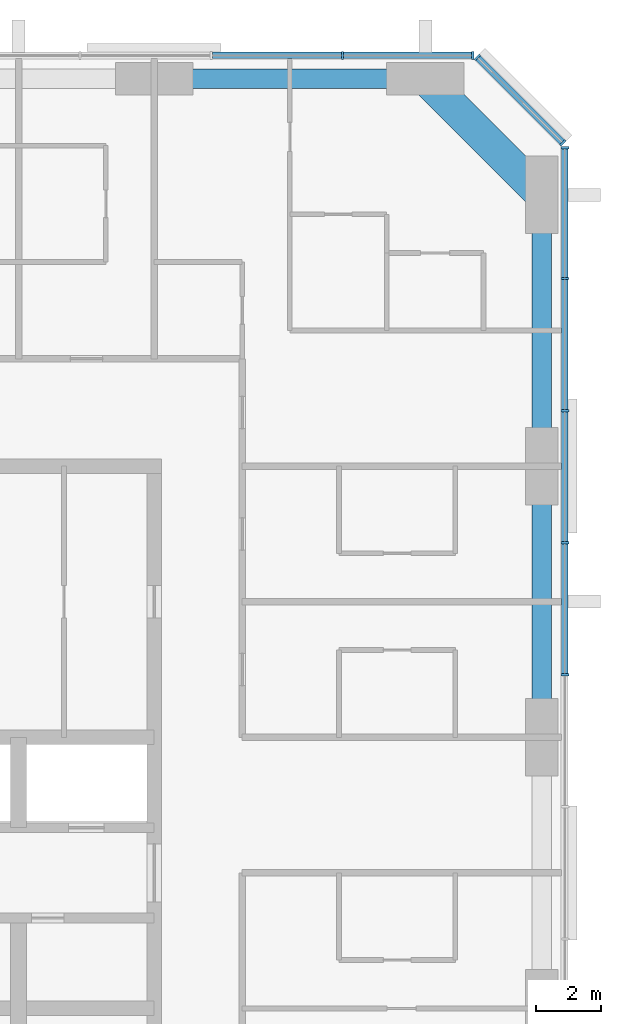
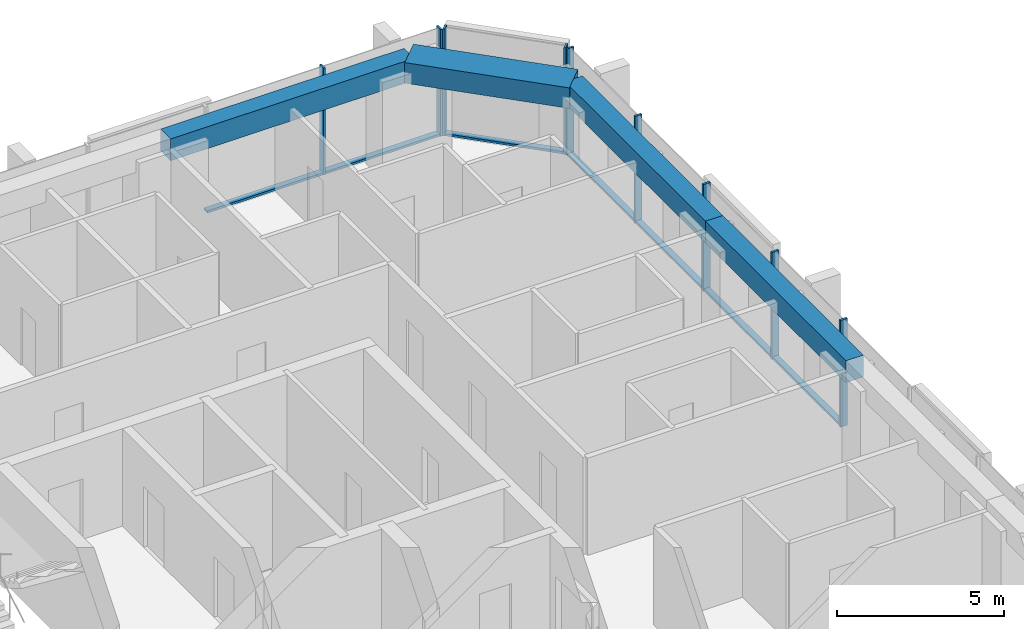
# One storey, part 5 of 12: 16 members, 4 beams, 3 elements without a shape of their own.
"""IFC4 building model written with IfcOpenShell, lengths in metres."""

from ifc_helpers import new_model, si_unit, direction, frame, origin, origin_2d, place, context, subcontext, project, spatial, rectangle, extrude, material, material_profile, profile_set, type_object, element, aggregate, save


model = new_model("IFC4")

# Units and contexts
model_context = context("Model", 3, precision=1e-05, world=origin(), true_north=direction((0.0, 1.0)))
body_context = subcontext(model_context, "Body", "Model", "MODEL_VIEW")
ifc_project = project(units=[si_unit("LENGTHUNIT", "METRE"), si_unit("AREAUNIT", "SQUARE_METRE"), si_unit("VOLUMEUNIT", "CUBIC_METRE"), si_unit("PLANEANGLEUNIT", "RADIAN"), si_unit("MASSUNIT", "GRAM", prefix="KILO")], contexts=[model_context])

# Site, building, storey
site_placement = place(None, origin())
site = spatial("IfcSite", under=ifc_project, at=site_placement, CompositionType="ELEMENT")
building_placement = place(site_placement, origin())
building = spatial("IfcBuilding", under=site, at=building_placement, Name="Dunama Terrace Hotel", CompositionType="ELEMENT")
storey_placement = place(building_placement, frame((0.0, 0.0, 252.89990234375)))
storey = spatial("IfcBuildingStorey", under=building, at=storey_placement, Name="L65", CompositionType="ELEMENT", Elevation=252.89990234375)

# Curtain wall, members
ifc_material_1 = material(Name="Aluminium curtain wall system", Category="aluminium")
curtain_wall_type = type_object("IfcCurtainWallType", Name="Unitised fritted glass wall CW-D", PredefinedType="NOTDEFINED", material=ifc_material_1)
curtain_wall_1_placement = place(storey_placement, origin())
curtain_wall_1 = element("IfcCurtainWall", 1, at=curtain_wall_1_placement, inside=storey, type_object=curtain_wall_type, Name="Unitised fritted glass wall CW-D L65", PredefinedType="NOTDEFINED")
ifc_material_2 = material(Name="Aluminium mullion", Category="aluminium")
ifc_material_profile_1 = material_profile(ifc_material_2, rectangle(XDim=0.070068359375, YDim=0.239990234375, at=origin_2d()), Name="CWD MULLION 70X240")
ifc_profile_set_1 = profile_set([ifc_material_profile_1], Name="Aluminium mullion")
member_type_1 = type_object("IfcMemberType", Name="CWD mullion 70x240", PredefinedType="MULLION", material=ifc_profile_set_1)
member_1_placement = place(storey_placement, frame((54.719970703125, 35.535888671875, 0.0), z_axis=(0.0, 0.0, 1.0), x_axis=(0.0, 1.0, 0.0)))
member_1 = element("IfcMember", 2, at=member_1_placement, type_object=member_type_1, Name="CWD mullion", PredefinedType="MULLION", context=body_context, shape_type="SweptSolid", body=[
    extrude(rectangle(XDim=0.070068359375, YDim=0.239990234375, at=origin_2d()), origin(), (0.0, 0.0, 1.0), 3.900146484375),
])
member_2_placement = place(storey_placement, frame((54.719970703125, 39.626953125, 0.0), z_axis=(0.0, 0.0, 1.0), x_axis=(0.0, 1.0, 0.0)))
member_2 = element("IfcMember", 3, at=member_2_placement, type_object=member_type_1, Name="CWD mullion", PredefinedType="MULLION", context=body_context, shape_type="SweptSolid", body=[
    extrude(rectangle(XDim=0.070068359375, YDim=0.239990234375, at=origin_2d()), origin(), (0.0, 0.0, 1.0), 3.900146484375),
])
member_3_placement = place(storey_placement, frame((54.719970703125, 43.718017578125, 0.0), z_axis=(0.0, 0.0, 1.0), x_axis=(0.0, 1.0, 0.0)))
member_3 = element("IfcMember", 4, at=member_3_placement, type_object=member_type_1, Name="CWD mullion", PredefinedType="MULLION", context=body_context, shape_type="SweptSolid", body=[
    extrude(rectangle(XDim=0.070068359375, YDim=0.239990234375, at=origin_2d()), origin(), (0.0, 0.0, 1.0), 3.900146484375),
])
member_4_placement = place(storey_placement, frame((54.719970703125, 47.80908203125, 0.0), z_axis=(0.0, 0.0, 1.0), x_axis=(0.0, 1.0, 0.0)))
member_4 = element("IfcMember", 5, at=member_4_placement, type_object=member_type_1, Name="CWD mullion", PredefinedType="MULLION", context=body_context, shape_type="SweptSolid", body=[
    extrude(rectangle(XDim=0.070068359375, YDim=0.239990234375, at=origin_2d()), origin(), (0.0, 0.0, 1.0), 3.900146484375),
])
member_5_placement = place(storey_placement, frame((54.719970703125, 51.864990234375, 0.0), z_axis=(0.0, 0.0, 1.0), x_axis=(0.0, 1.0, 0.0)))
member_5 = element("IfcMember", 6, at=member_5_placement, type_object=member_type_1, Name="CWD mullion", PredefinedType="MULLION", context=body_context, shape_type="SweptSolid", body=[
    extrude(rectangle(XDim=0.070068359375, YDim=0.239990234375, at=origin_2d()), origin(), (0.0, 0.0, 1.0), 3.900146484375),
])

curtain_wall_2_placement = place(storey_placement, origin())
curtain_wall_2 = element("IfcCurtainWall", 7, at=curtain_wall_2_placement, inside=storey, type_object=curtain_wall_type, Name="Unitised fritted glass wall CW-D L65", PredefinedType="NOTDEFINED")
member_6_placement = place(storey_placement, frame((54.659912109375, 52.010009765625, 0.0), z_axis=(0.0, 0.0, 1.0), x_axis=(-0.707106781187, 0.707106781187, 0.0)))
member_6 = element("IfcMember", 8, at=member_6_placement, type_object=member_type_1, Name="CWD mullion", PredefinedType="MULLION", context=body_context, shape_type="SweptSolid", body=[
    extrude(rectangle(XDim=0.070068359375, YDim=0.239990234375, at=origin_2d()), origin(), (0.0, 0.0, 1.0), 3.900146484375),
])
member_7_placement = place(storey_placement, frame((52.010009765625, 54.659912109375, 0.0), z_axis=(0.0, 0.0, 1.0), x_axis=(-0.707106781187, 0.707106781187, 0.0)))
member_7 = element("IfcMember", 9, at=member_7_placement, type_object=member_type_1, Name="CWD mullion", PredefinedType="MULLION", context=body_context, shape_type="SweptSolid", body=[
    extrude(rectangle(XDim=0.070068359375, YDim=0.239990234375, at=origin_2d()), origin(), (0.0, 0.0, 1.0), 3.900146484375),
])

curtain_wall_3_placement = place(storey_placement, origin())
curtain_wall_3 = element("IfcCurtainWall", 10, at=curtain_wall_3_placement, inside=storey, type_object=curtain_wall_type, Name="Unitised fritted glass wall CW-D L65", PredefinedType="NOTDEFINED")
member_8_placement = place(storey_placement, frame((51.864990234375, 54.719970703125, 0.0), z_axis=(0.0, 0.0, 1.0), x_axis=(-1.0, 0.0, 0.0)))
member_8 = element("IfcMember", 11, at=member_8_placement, type_object=member_type_1, Name="CWD mullion", PredefinedType="MULLION", context=body_context, shape_type="SweptSolid", body=[
    extrude(rectangle(XDim=0.070068359375, YDim=0.239990234375, at=origin_2d()), origin(), (0.0, 0.0, 1.0), 3.900146484375),
])
member_9_placement = place(storey_placement, frame((47.8330078125, 54.719970703125, 0.0), z_axis=(0.0, 0.0, 1.0), x_axis=(-1.0, 0.0, 0.0)))
member_9 = element("IfcMember", 12, at=member_9_placement, type_object=member_type_1, Name="CWD mullion", PredefinedType="MULLION", context=body_context, shape_type="SweptSolid", body=[
    extrude(rectangle(XDim=0.070068359375, YDim=0.239990234375, at=origin_2d()), origin(), (0.0, 0.0, 1.0), 3.900146484375),
])

# Member
ifc_material_3 = material(Name="Aluminium transom", Category="aluminium")
ifc_material_profile_2 = material_profile(ifc_material_3, rectangle(XDim=0.199951171875, YDim=0.0849609375, at=origin_2d()), Name="CWD TRANSOM 200X85")
ifc_profile_set_2 = profile_set([ifc_material_profile_2], Name="Aluminium transom")
member_type_2 = type_object("IfcMemberType", Name="CWD transom 200x85", PredefinedType="USERDEFINED", material=ifc_profile_set_2)
member_10_placement = place(storey_placement, frame((54.719970703125, 35.571044921875, 0.04248046875), z_axis=(0.0, 1.0, 0.0), x_axis=(-1.0, 0.0, 0.0)))
member_10 = element("IfcMember", 13, at=member_10_placement, type_object=member_type_2, Name="CWD transom", ObjectType="TRANSOM", PredefinedType="USERDEFINED", context=body_context, shape_type="SweptSolid", body=[
    extrude(rectangle(XDim=0.199951171875, YDim=0.0849609375, at=origin_2d()), origin(), (0.0, 0.0, 1.0), 4.02099609375),
])

member_11_placement = place(storey_placement, frame((54.719970703125, 39.662109375, 0.04248046875), z_axis=(0.0, 1.0, 0.0), x_axis=(-1.0, 0.0, 0.0)))
member_11 = element("IfcMember", 14, at=member_11_placement, type_object=member_type_2, Name="CWD transom", ObjectType="TRANSOM", PredefinedType="USERDEFINED", context=body_context, shape_type="SweptSolid", body=[
    extrude(rectangle(XDim=0.199951171875, YDim=0.0849609375, at=origin_2d()), origin(), (0.0, 0.0, 1.0), 4.02099609375),
])

member_12_placement = place(storey_placement, frame((54.719970703125, 43.7529296875, 0.04248046875), z_axis=(0.0, 1.0, 0.0), x_axis=(-1.0, 0.0, 0.0)))
member_12 = element("IfcMember", 15, at=member_12_placement, type_object=member_type_2, Name="CWD transom", ObjectType="TRANSOM", PredefinedType="USERDEFINED", context=body_context, shape_type="SweptSolid", body=[
    extrude(rectangle(XDim=0.199951171875, YDim=0.0849609375, at=origin_2d()), origin(), (0.0, 0.0, 1.0), 4.02099609375),
])

member_13_placement = place(storey_placement, frame((54.719970703125, 47.843994140625, 0.04248046875), z_axis=(0.0, 1.0, 0.0), x_axis=(-1.0, 0.0, 0.0)))
member_13 = element("IfcMember", 16, at=member_13_placement, type_object=member_type_2, Name="CWD transom", ObjectType="TRANSOM", PredefinedType="USERDEFINED", context=body_context, shape_type="SweptSolid", body=[
    extrude(rectangle(XDim=0.199951171875, YDim=0.0849609375, at=origin_2d()), origin(), (0.0, 0.0, 1.0), 3.986083984375),
])

aggregate(curtain_wall_1, [member_1, member_2, member_3, member_4, member_5, member_10, member_11, member_12, member_13])

member_14_placement = place(storey_placement, frame((54.635009765625, 52.033935546875, 0.04248046875), z_axis=(-0.707106781187, 0.707106781187, 0.0), x_axis=(-0.707106781187, -0.707106781187, 0.0)))
member_14 = element("IfcMember", 17, at=member_14_placement, type_object=member_type_2, Name="CWD transom", ObjectType="TRANSOM", PredefinedType="USERDEFINED", context=body_context, shape_type="SweptSolid", body=[
    extrude(rectangle(XDim=0.199951171875, YDim=0.0849609375, at=origin_2d()), origin(), (0.0, 0.0, 1.0), 3.678466796875),
])

aggregate(curtain_wall_2, [member_6, member_7, member_14])

member_15_placement = place(storey_placement, frame((51.830078125, 54.719970703125, 0.04248046875), z_axis=(-1.0, 0.0, 0.0), x_axis=(0.0, -1.0, 0.0)))
member_15 = element("IfcMember", 18, at=member_15_placement, type_object=member_type_2, Name="CWD transom", ObjectType="TRANSOM", PredefinedType="USERDEFINED", context=body_context, shape_type="SweptSolid", body=[
    extrude(rectangle(XDim=0.199951171875, YDim=0.0849609375, at=origin_2d()), origin(), (0.0, 0.0, 1.0), 3.962158203125),
])

member_16_placement = place(storey_placement, frame((47.798095703125, 54.719970703125, 0.04248046875), z_axis=(-1.0, 0.0, 0.0), x_axis=(0.0, -1.0, 0.0)))
member_16 = element("IfcMember", 19, at=member_16_placement, type_object=member_type_2, Name="CWD transom", ObjectType="TRANSOM", PredefinedType="USERDEFINED", context=body_context, shape_type="SweptSolid", body=[
    extrude(rectangle(XDim=0.199951171875, YDim=0.0849609375, at=origin_2d()), origin(), (0.0, 0.0, 1.0), 3.99609375),
])

aggregate(curtain_wall_3, [member_8, member_9, member_15, member_16])

# Beams
ifc_material_4 = material(Name="Concrete C50/60", Category="concrete")
ifc_material_profile_3 = material_profile(ifc_material_4, rectangle(XDim=1.0, YDim=0.75, at=origin_2d()), Name="RC 1000x750")
ifc_profile_set_3 = profile_set([ifc_material_profile_3], Name="Concrete C50/60")
beam_type_1 = type_object("IfcBeamType", Name="Edge beam RC 1000x750", PredefinedType="SPANDREL", material=ifc_profile_set_3)
beam_placement = place(storey_placement, frame((50.39990234375, 54.0, 3.525146484375), z_axis=(0.707106781187, -0.707106781187, 0.0), x_axis=(0.707106781187, 0.707106781187, 0.0)))
element("IfcBeam", 20, at=beam_placement, inside=storey, type_object=beam_type_1, Name="Corner edge beam under L66", PredefinedType="SPANDREL", context=body_context, shape_type="SweptSolid", body=[
    extrude(rectangle(XDim=1.0, YDim=0.75, at=origin_2d()), origin(), (0.0, 0.0, 1.0), 5.09130859375),
])
ifc_material_5 = material(Name="Concrete C40/50", Category="concrete")
ifc_material_profile_4 = material_profile(ifc_material_5, rectangle(XDim=0.60009765625, YDim=0.800048828125, at=origin_2d()), Name="RC 600x800")
ifc_profile_set_4 = profile_set([ifc_material_profile_4], Name="Concrete C40/50")
beam_type_2 = type_object("IfcBeamType", Name="Edge beam RC 600x800", PredefinedType="SPANDREL", material=ifc_profile_set_4)
for number, where, z_axis, x_axis, name in (
    (21, (54.0, 33.60009765625, 3.5), (0.0, 1.0, 0.0), (-1.0, 0.0, 0.0), "Edge beam under L66"),
    (22, (54.0, 42.0, 3.5), (0.0, 1.0, 0.0), (-1.0, 0.0, 0.0), "Edge beam under L66"),
    (23, (42.0, 54.0, 3.5), (1.0, 0.0, 0.0), (0.0, 1.0, 0.0), "Edge beam under L66"),
):
    element("IfcBeam", number, at=place(storey_placement, frame(where, z_axis=z_axis, x_axis=x_axis)), inside=storey, type_object=beam_type_2, Name=name, PredefinedType="SPANDREL", context=body_context, shape_type="SweptSolid", body=[
        extrude(rectangle(XDim=0.60009765625, YDim=0.800048828125, at=origin_2d()), origin(), (0.0, 0.0, 1.0), 8.39990234375),
    ])

save(model, "model.ifc")
